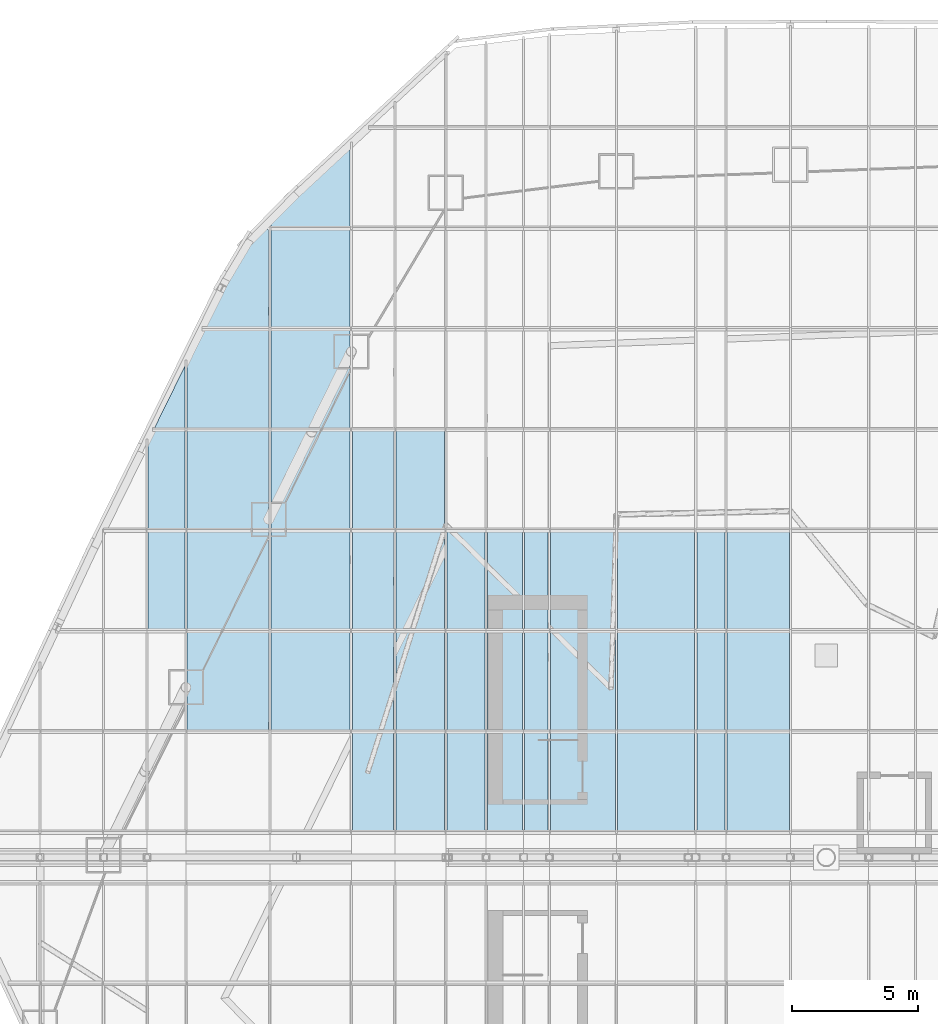
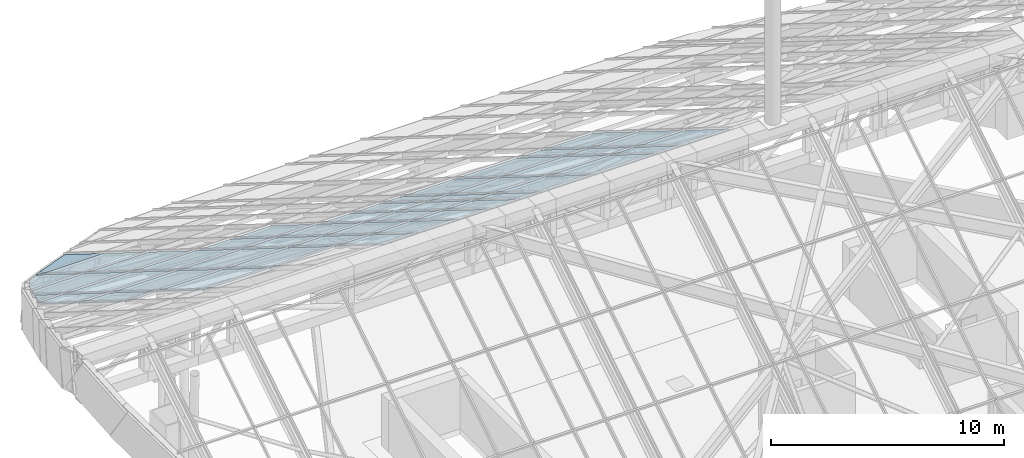
# One storey, part 31 of 38: 43 plates, 43 elements without a shape of their own.
"""IFC4 building model written with IfcOpenShell, lengths in metres."""

from ifc_helpers import new_model, si_unit, direction, frame, origin, place, context, subcontext, project, spatial, polyline, outline, extrude, material, layer, layer_set, type_object, element, aggregate, save


model = new_model("IFC4")

# Units and contexts
model_context = context("Model", 3, precision=1e-05, world=origin(), true_north=direction((0.0, 1.0)))
body_context = subcontext(model_context, "Body", "Model", "MODEL_VIEW")
ifc_project = project(units=[si_unit("LENGTHUNIT", "METRE"), si_unit("AREAUNIT", "SQUARE_METRE"), si_unit("VOLUMEUNIT", "CUBIC_METRE"), si_unit("PLANEANGLEUNIT", "RADIAN"), si_unit("MASSUNIT", "GRAM", prefix="KILO")], contexts=[model_context])

# Site, building, storey
site_placement = place(None, origin())
site = spatial("IfcSite", under=ifc_project, at=site_placement, CompositionType="ELEMENT")
building_placement = place(site_placement, origin())
building = spatial("IfcBuilding", under=site, at=building_placement, Name="Dongbaek Canopy Tower", CompositionType="ELEMENT")
storey_placement = place(building_placement, frame((0.0, 0.0, 375.800048828125)))
storey = spatial("IfcBuildingStorey", under=building, at=storey_placement, Name="Roof", CompositionType="ELEMENT", Elevation=375.800048828125)

# Curtain wall, plate
ifc_material_1 = material(Name="Aluminium 6063-T6 pale anodised", Category="aluminium")
ifc_layer_1 = layer(ifc_material_1, 0.199951171875)
ifc_layer_set_1 = layer_set([ifc_layer_1], Name="CW-6 canopy glazing curtain wall")
curtain_wall_type = type_object("IfcCurtainWallType", Name="CW-6 canopy glazing curtain wall", PredefinedType="NOTDEFINED", material=ifc_layer_set_1)
curtain_wall_1_placement = place(storey_placement, origin())
curtain_wall_1 = element("IfcCurtainWall", 1, at=curtain_wall_1_placement, inside=storey, type_object=curtain_wall_type, Name="CW-6 canopy glazing north 4.3", PredefinedType="NOTDEFINED")
ifc_material_2 = material(Name="Clear laminated glass", Category="glass")
ifc_layer_2 = layer(ifc_material_2, 0.0400390625)
ifc_layer_set_2 = layer_set([ifc_layer_2], Name="CW-6 glazed panel 40")
plate_type = type_object("IfcPlateType", Name="CW-6 glazed panel 40", PredefinedType="CURTAIN_PANEL", material=ifc_layer_set_2)
plate_1_placement = place(storey_placement, frame((-25.389892578125, 9.015380859375, 13.11376953125), z_axis=(0.0, 0.529946450558, 0.848031107649), x_axis=(-1.0, 0.0, 0.0)))
plate_1 = element("IfcPlate", 2, at=plate_1_placement, type_object=plate_type, Name="CW-6 panel N4.3", PredefinedType="CURTAIN_PANEL", context=body_context, shape_type="SweptSolid", body=[
    extrude(outline(polyline([(0.0, 0.0), (1.4560546875, 0.0), (1.4560546875, -4.599060634916705), (0.0, -4.599060634916705), (0.0, 0.0)])), origin(), (0.0, 0.0, -1.0), 0.0400390625),
])
aggregate(curtain_wall_1, [plate_1])

curtain_wall_2_placement = place(storey_placement, origin())
curtain_wall_2 = element("IfcCurtainWall", 3, at=curtain_wall_2_placement, inside=storey, type_object=curtain_wall_type, Name="CW-6 canopy glazing north 4.4", PredefinedType="NOTDEFINED")
plate_2_placement = place(storey_placement, frame((-25.389892578125, 13.001708984375, 10.622802734375), z_axis=(-9.486976e-06, 0.529908615105, 0.848054750325), x_axis=(-0.999999999955, -5.027231e-06, -8.045475e-06)))
plate_2 = element("IfcPlate", 4, at=plate_2_placement, type_object=plate_type, Name="CW-6 panel N4.4", PredefinedType="CURTAIN_PANEL", context=body_context, shape_type="SweptSolid", body=[
    extrude(outline(polyline([(0.0, 0.0), (1.4560546874344755, 0.0), (1.4560546876789506, -4.129411195458515), (1.2602539061756644, -4.598931258119005), (-1.7622603209192138e-11, -4.598931258119005), (0.0, 0.0)])), origin(), (0.0, 0.0, -1.0), 0.0400390625),
])
aggregate(curtain_wall_2, [plate_2])

curtain_wall_3_placement = place(storey_placement, origin())
curtain_wall_3 = element("IfcCurtainWall", 5, at=curtain_wall_3_placement, inside=storey, type_object=curtain_wall_type, Name="CW-6 canopy glazing north 4.5", PredefinedType="NOTDEFINED")
plate_3_placement = place(storey_placement, frame((-25.389892578125, 16.98779296875, 8.132080078125), z_axis=(0.0, 0.529931286674, 0.848040583583), x_axis=(-1.0, 0.0, 0.0)))
plate_3 = element("IfcPlate", 6, at=plate_3_placement, type_object=plate_type, Name="CW-6 panel N4.5", PredefinedType="CURTAIN_PANEL", context=body_context, shape_type="SweptSolid", body=[
    extrude(outline(polyline([(0.0, 0.0), (1.218017578125, 0.0), (0.0, -2.919471221135205), (0.0, 0.0)])), origin(), (0.0, 0.0, -1.0), 0.0400390625),
])
aggregate(curtain_wall_3, [plate_3])

curtain_wall_4_placement = place(storey_placement, origin())
curtain_wall_4 = element("IfcCurtainWall", 7, at=curtain_wall_4_placement, inside=storey, type_object=curtain_wall_type, Name="CW-6 canopy glazing north 5.2", PredefinedType="NOTDEFINED")
plate_4_placement = place(storey_placement, frame((-22.073974609375, 5.029296875, 15.6044921875), z_axis=(0.0, 0.52990827259, 0.848054964398), x_axis=(-1.0, 0.0, 0.0)))
plate_4 = element("IfcPlate", 8, at=plate_4_placement, type_object=plate_type, Name="CW-6 panel N5.2", PredefinedType="CURTAIN_PANEL", context=body_context, shape_type="SweptSolid", body=[
    extrude(outline(polyline([(0.0, 0.0), (3.22998046875, 0.0), (3.22998046875, -4.59893125811938), (0.0, -4.59893125811938), (0.0, 0.0)])), origin(), (0.0, 0.0, -1.0), 0.0400390625),
])
aggregate(curtain_wall_4, [plate_4])

curtain_wall_5_placement = place(storey_placement, origin())
curtain_wall_5 = element("IfcCurtainWall", 9, at=curtain_wall_5_placement, inside=storey, type_object=curtain_wall_type, Name="CW-6 canopy glazing north 5.3", PredefinedType="NOTDEFINED")
plate_5_placement = place(storey_placement, frame((-22.073974609375, 9.015380859375, 13.11376953125), z_axis=(0.0, 0.529946450558, 0.848031107649), x_axis=(-1.0, 0.0, 0.0)))
plate_5 = element("IfcPlate", 10, at=plate_5_placement, type_object=plate_type, Name="CW-6 panel N5.3", PredefinedType="CURTAIN_PANEL", context=body_context, shape_type="SweptSolid", body=[
    extrude(outline(polyline([(0.0, 0.0), (3.22998046875, 0.0), (3.22998046875, -4.599060634916705), (0.0, -4.599060634916705), (0.0, 0.0)])), origin(), (0.0, 0.0, -1.0), 0.0400390625),
])
aggregate(curtain_wall_5, [plate_5])

curtain_wall_6_placement = place(storey_placement, origin())
curtain_wall_6 = element("IfcCurtainWall", 11, at=curtain_wall_6_placement, inside=storey, type_object=curtain_wall_type, Name="CW-6 canopy glazing north 5.4", PredefinedType="NOTDEFINED")
plate_6_placement = place(storey_placement, frame((-22.073974609375, 13.001708984375, 10.622802734375), z_axis=(0.0, 0.52990827259, 0.848054964398), x_axis=(-1.0, 0.0, 0.0)))
plate_6 = element("IfcPlate", 12, at=plate_6_placement, type_object=plate_type, Name="CW-6 panel N5.4", PredefinedType="CURTAIN_PANEL", context=body_context, shape_type="SweptSolid", body=[
    extrude(outline(polyline([(0.0, 0.0), (3.22998046875, 0.0), (3.22998046875, -4.59893125811938), (0.0, -4.59893125811938), (0.0, 0.0)])), origin(), (0.0, 0.0, -1.0), 0.0400390625),
])
aggregate(curtain_wall_6, [plate_6])

curtain_wall_7_placement = place(storey_placement, origin())
curtain_wall_7 = element("IfcCurtainWall", 13, at=curtain_wall_7_placement, inside=storey, type_object=curtain_wall_type, Name="CW-6 canopy glazing north 5.5", PredefinedType="NOTDEFINED")
plate_7_placement = place(storey_placement, frame((-22.073974609375, 16.98779296875, 8.132080078125), z_axis=(2.2826719e-05, 0.529943862908, 0.848032724395), x_axis=(-0.999999999739, 1.2096879e-05, 1.9357804e-05)))
plate_7 = element("IfcPlate", 14, at=plate_7_placement, type_object=plate_type, Name="CW-6 panel N5.5", PredefinedType="CURTAIN_PANEL", context=body_context, shape_type="SweptSolid", body=[
    extrude(outline(polyline([(0.0, 0.0), (3.229980467908495, 0.0), (3.2299804709541973, -3.125544545425184), (2.6152343739983355, -4.599060634895297), (-3.203190370148481e-10, -4.599060634895297), (0.0, 0.0)])), origin(), (0.0, 0.0, -1.0), 0.0400390625),
])
aggregate(curtain_wall_7, [plate_7])

curtain_wall_8_placement = place(storey_placement, origin())
curtain_wall_8 = element("IfcCurtainWall", 15, at=curtain_wall_8_placement, inside=storey, type_object=curtain_wall_type, Name="CW-6 canopy glazing north 5.6", PredefinedType="NOTDEFINED")
plate_8_placement = place(storey_placement, frame((-22.85205078125, 24.294189453125, 3.56640625), z_axis=(-6.46319e-06, 0.529913545539, 0.848051669542), x_axis=(0.641078287018, 0.650861067475, -0.406692144943)))
plate_8 = element("IfcPlate", 16, at=plate_8_placement, type_object=plate_type, Name="CW-6 panel N5.6", PredefinedType="CURTAIN_PANEL", context=body_context, shape_type="SweptSolid", body=[
    extrude(outline(polyline([(0.0, 0.0), (0.8911377517187538, -4.163336342344337e-17), (1.0237044775743207, -0.15870403837904357), (-2.505862549706908, -3.1069790113113482), (-4.155355730098667, -1.1322660709610064), (-2.010602725449759, -0.46715997382909924), (0.0, 0.0)])), origin(), (0.0, 0.0, -1.0), 0.0400390625),
])
aggregate(curtain_wall_8, [plate_8])

curtain_wall_9_placement = place(storey_placement, origin())
curtain_wall_9 = element("IfcCurtainWall", 17, at=curtain_wall_9_placement, inside=storey, type_object=curtain_wall_type, Name="CW-6 canopy glazing north 6.2", PredefinedType="NOTDEFINED")
plate_9_placement = place(storey_placement, frame((-18.84912109375, 5.029296875, 15.6044921875), z_axis=(0.0, 0.52990827259, 0.848054964398), x_axis=(-1.0, 0.0, 0.0)))
plate_9 = element("IfcPlate", 18, at=plate_9_placement, type_object=plate_type, Name="CW-6 panel N6.2", PredefinedType="CURTAIN_PANEL", context=body_context, shape_type="SweptSolid", body=[
    extrude(outline(polyline([(0.0, 0.0), (3.138916015625, 0.0), (3.138916015625, -4.59893125811938), (0.0, -4.59893125811938), (0.0, 0.0)])), origin(), (0.0, 0.0, -1.0), 0.0400390625),
])
aggregate(curtain_wall_9, [plate_9])

curtain_wall_10_placement = place(storey_placement, origin())
curtain_wall_10 = element("IfcCurtainWall", 19, at=curtain_wall_10_placement, inside=storey, type_object=curtain_wall_type, Name="CW-6 canopy glazing north 6.3", PredefinedType="NOTDEFINED")
plate_10_placement = place(storey_placement, frame((-18.84912109375, 9.015380859375, 13.11376953125), z_axis=(0.0, 0.529946450558, 0.848031107649), x_axis=(-1.0, 0.0, 0.0)))
plate_10 = element("IfcPlate", 20, at=plate_10_placement, type_object=plate_type, Name="CW-6 panel N6.3", PredefinedType="CURTAIN_PANEL", context=body_context, shape_type="SweptSolid", body=[
    extrude(outline(polyline([(0.0, 0.0), (3.138916015625, 0.0), (3.138916015625, -4.599060634916705), (0.0, -4.599060634916705), (0.0, 0.0)])), origin(), (0.0, 0.0, -1.0), 0.0400390625),
])
aggregate(curtain_wall_10, [plate_10])

curtain_wall_11_placement = place(storey_placement, origin())
curtain_wall_11 = element("IfcCurtainWall", 21, at=curtain_wall_11_placement, inside=storey, type_object=curtain_wall_type, Name="CW-6 canopy glazing north 6.4", PredefinedType="NOTDEFINED")
plate_11_placement = place(storey_placement, frame((-18.84912109375, 13.001708984375, 10.622802734375), z_axis=(0.0, 0.52990827259, 0.848054964398), x_axis=(-1.0, 0.0, 0.0)))
plate_11 = element("IfcPlate", 22, at=plate_11_placement, type_object=plate_type, Name="CW-6 panel N6.4", PredefinedType="CURTAIN_PANEL", context=body_context, shape_type="SweptSolid", body=[
    extrude(outline(polyline([(0.0, 0.0), (3.138916015625, 0.0), (3.138916015625, -4.59893125811938), (0.0, -4.59893125811938), (0.0, 0.0)])), origin(), (0.0, 0.0, -1.0), 0.0400390625),
])
aggregate(curtain_wall_11, [plate_11])

curtain_wall_12_placement = place(storey_placement, origin())
curtain_wall_12 = element("IfcCurtainWall", 23, at=curtain_wall_12_placement, inside=storey, type_object=curtain_wall_type, Name="CW-6 canopy glazing north 6.5", PredefinedType="NOTDEFINED")
plate_12_placement = place(storey_placement, frame((-18.84912109375, 16.98779296875, 8.132080078125), z_axis=(0.0, 0.529946450558, 0.848031107649), x_axis=(-1.0, 0.0, 0.0)))
plate_12 = element("IfcPlate", 24, at=plate_12_placement, type_object=plate_type, Name="CW-6 panel N6.5", PredefinedType="CURTAIN_PANEL", context=body_context, shape_type="SweptSolid", body=[
    extrude(outline(polyline([(0.0, 0.0), (3.138916015625, 0.0), (3.138916015625, -4.599060634916705), (0.0, -4.599060634916705), (0.0, 0.0)])), origin(), (0.0, 0.0, -1.0), 0.0400390625),
])
aggregate(curtain_wall_12, [plate_12])

curtain_wall_13_placement = place(storey_placement, origin())
curtain_wall_13 = element("IfcCurtainWall", 25, at=curtain_wall_13_placement, inside=storey, type_object=curtain_wall_type, Name="CW-6 canopy glazing north 6.6", PredefinedType="NOTDEFINED")
plate_13_placement = place(storey_placement, frame((-18.84912109375, 20.97412109375, 5.64111328125), z_axis=(0.0, 0.52990827259, 0.848054964398), x_axis=(-1.0, 0.0, 0.0)))
plate_13 = element("IfcPlate", 26, at=plate_13_placement, type_object=plate_type, Name="CW-6 panel N6.6", PredefinedType="CURTAIN_PANEL", context=body_context, shape_type="SweptSolid", body=[
    extrude(outline(polyline([(0.0, 0.0), (3.138916015625, 0.0), (3.138916015625, -4.59893125811938), (0.0, -4.59893125811938), (0.0, 0.0)])), origin(), (0.0, 0.0, -1.0), 0.0400390625),
])
aggregate(curtain_wall_13, [plate_13])

curtain_wall_14_placement = place(storey_placement, origin())
curtain_wall_14 = element("IfcCurtainWall", 27, at=curtain_wall_14_placement, inside=storey, type_object=curtain_wall_type, Name="CW-6 canopy glazing north 6.7", PredefinedType="NOTDEFINED")
plate_14_placement = place(storey_placement, frame((-18.84912109375, 28.1728515625, 1.142822265625), z_axis=(-1.819021e-05, 0.529949508766, 0.84802919633), x_axis=(-3.07e-10, -0.84802919647, 0.529949508854)))
plate_14 = element("IfcPlate", 28, at=plate_14_placement, type_object=plate_type, Name="CW-6 panel N6.7", PredefinedType="CURTAIN_PANEL", context=body_context, shape_type="SweptSolid", body=[
    extrude(outline(polyline([(0.0, 0.0), (3.78832788272803, 0.0), (3.7883278836902825, -3.138916015105692), (3.53903687577208, -3.138916014504957), (2.388851191027931, -2.1782226573317947), (0.0, 0.0)])), origin(), (0.0, 0.0, -1.0), 0.0400390625),
])
aggregate(curtain_wall_14, [plate_14])

curtain_wall_15_placement = place(storey_placement, origin())
curtain_wall_15 = element("IfcCurtainWall", 29, at=curtain_wall_15_placement, inside=storey, type_object=curtain_wall_type, Name="CW-6 canopy glazing north 7.1", PredefinedType="NOTDEFINED")
plate_15_placement = place(storey_placement, frame((-17.126953125, 1.04296875, 18.095458984375), z_axis=(0.0, 0.52990827259, 0.848054964398), x_axis=(-1.0, 0.0, 0.0)))
plate_15 = element("IfcPlate", 30, at=plate_15_placement, type_object=plate_type, Name="CW-6 panel N7.1", PredefinedType="CURTAIN_PANEL", context=body_context, shape_type="SweptSolid", body=[
    extrude(outline(polyline([(0.0, 0.0), (1.635986328125, 0.0), (1.635986328125, -4.59893125811938), (0.0, -4.59893125811938), (0.0, 0.0)])), origin(), (0.0, 0.0, -1.0), 0.0400390625),
])
aggregate(curtain_wall_15, [plate_15])

curtain_wall_16_placement = place(storey_placement, origin())
curtain_wall_16 = element("IfcCurtainWall", 31, at=curtain_wall_16_placement, inside=storey, type_object=curtain_wall_type, Name="CW-6 canopy glazing north 7.2", PredefinedType="NOTDEFINED")
plate_16_placement = place(storey_placement, frame((-17.126953125, 5.029296875, 15.6044921875), z_axis=(0.0, 0.52990827259, 0.848054964398), x_axis=(-1.0, 0.0, 0.0)))
plate_16 = element("IfcPlate", 32, at=plate_16_placement, type_object=plate_type, Name="CW-6 panel N7.2", PredefinedType="CURTAIN_PANEL", context=body_context, shape_type="SweptSolid", body=[
    extrude(outline(polyline([(0.0, 0.0), (1.635986328125, 0.0), (1.635986328125, -4.59893125811938), (0.0, -4.59893125811938), (0.0, 0.0)])), origin(), (0.0, 0.0, -1.0), 0.0400390625),
])
aggregate(curtain_wall_16, [plate_16])

curtain_wall_17_placement = place(storey_placement, origin())
curtain_wall_17 = element("IfcCurtainWall", 33, at=curtain_wall_17_placement, inside=storey, type_object=curtain_wall_type, Name="CW-6 canopy glazing north 7.3", PredefinedType="NOTDEFINED")
plate_17_placement = place(storey_placement, frame((-17.126953125, 9.015380859375, 13.11376953125), z_axis=(0.0, 0.529946450558, 0.848031107649), x_axis=(-1.0, 0.0, 0.0)))
plate_17 = element("IfcPlate", 34, at=plate_17_placement, type_object=plate_type, Name="CW-6 panel N7.3", PredefinedType="CURTAIN_PANEL", context=body_context, shape_type="SweptSolid", body=[
    extrude(outline(polyline([(0.0, 0.0), (1.635986328125, 0.0), (1.635986328125, -4.599060634916705), (0.0, -4.599060634916705), (0.0, 0.0)])), origin(), (0.0, 0.0, -1.0), 0.0400390625),
])
aggregate(curtain_wall_17, [plate_17])

curtain_wall_18_placement = place(storey_placement, origin())
curtain_wall_18 = element("IfcCurtainWall", 35, at=curtain_wall_18_placement, inside=storey, type_object=curtain_wall_type, Name="CW-6 canopy glazing north 7.4", PredefinedType="NOTDEFINED")
plate_18_placement = place(storey_placement, frame((-17.126953125, 13.001708984375, 10.622802734375), z_axis=(0.0, 0.52990827259, 0.848054964398), x_axis=(-1.0, 0.0, 0.0)))
plate_18 = element("IfcPlate", 36, at=plate_18_placement, type_object=plate_type, Name="CW-6 panel N7.4", PredefinedType="CURTAIN_PANEL", context=body_context, shape_type="SweptSolid", body=[
    extrude(outline(polyline([(0.0, 0.0), (1.635986328125, 0.0), (1.635986328125, -4.59893125811938), (0.0, -4.59893125811938), (0.0, 0.0)])), origin(), (0.0, 0.0, -1.0), 0.0400390625),
])
aggregate(curtain_wall_18, [plate_18])

curtain_wall_19_placement = place(storey_placement, origin())
curtain_wall_19 = element("IfcCurtainWall", 37, at=curtain_wall_19_placement, inside=storey, type_object=curtain_wall_type, Name="CW-6 canopy glazing north 8.1", PredefinedType="NOTDEFINED")
plate_19_placement = place(storey_placement, frame((-15.10498046875, 1.04296875, 18.095458984375), z_axis=(0.0, 0.52990827259, 0.848054964398), x_axis=(-1.0, 0.0, 0.0)))
plate_19 = element("IfcPlate", 38, at=plate_19_placement, type_object=plate_type, Name="CW-6 panel N8.1", PredefinedType="CURTAIN_PANEL", context=body_context, shape_type="SweptSolid", body=[
    extrude(outline(polyline([(0.0, 0.0), (1.93603515625, 0.0), (1.93603515625, -4.59893125811938), (0.0, -4.59893125811938), (0.0, 0.0)])), origin(), (0.0, 0.0, -1.0), 0.0400390625),
])
aggregate(curtain_wall_19, [plate_19])

curtain_wall_20_placement = place(storey_placement, origin())
curtain_wall_20 = element("IfcCurtainWall", 39, at=curtain_wall_20_placement, inside=storey, type_object=curtain_wall_type, Name="CW-6 canopy glazing north 8.2", PredefinedType="NOTDEFINED")
plate_20_placement = place(storey_placement, frame((-15.10498046875, 5.029296875, 15.6044921875), z_axis=(0.0, 0.52990827259, 0.848054964398), x_axis=(-1.0, 0.0, 0.0)))
plate_20 = element("IfcPlate", 40, at=plate_20_placement, type_object=plate_type, Name="CW-6 panel N8.2", PredefinedType="CURTAIN_PANEL", context=body_context, shape_type="SweptSolid", body=[
    extrude(outline(polyline([(0.0, 0.0), (1.93603515625, 0.0), (1.93603515625, -4.59893125811938), (0.0, -4.59893125811938), (0.0, 0.0)])), origin(), (0.0, 0.0, -1.0), 0.0400390625),
])
aggregate(curtain_wall_20, [plate_20])

curtain_wall_21_placement = place(storey_placement, origin())
curtain_wall_21 = element("IfcCurtainWall", 41, at=curtain_wall_21_placement, inside=storey, type_object=curtain_wall_type, Name="CW-6 canopy glazing north 8.3", PredefinedType="NOTDEFINED")
plate_21_placement = place(storey_placement, frame((-15.10498046875, 9.015380859375, 13.11376953125), z_axis=(0.0, 0.529946450558, 0.848031107649), x_axis=(-1.0, 0.0, 0.0)))
plate_21 = element("IfcPlate", 42, at=plate_21_placement, type_object=plate_type, Name="CW-6 panel N8.3", PredefinedType="CURTAIN_PANEL", context=body_context, shape_type="SweptSolid", body=[
    extrude(outline(polyline([(0.0, 0.0), (1.93603515625, 0.0), (1.93603515625, -4.599060634916705), (0.0, -4.599060634916705), (0.0, 0.0)])), origin(), (0.0, 0.0, -1.0), 0.0400390625),
])
aggregate(curtain_wall_21, [plate_21])

curtain_wall_22_placement = place(storey_placement, origin())
curtain_wall_22 = element("IfcCurtainWall", 43, at=curtain_wall_22_placement, inside=storey, type_object=curtain_wall_type, Name="CW-6 canopy glazing north 8.4", PredefinedType="NOTDEFINED")
plate_22_placement = place(storey_placement, frame((-15.10498046875, 13.001708984375, 10.622802734375), z_axis=(0.0, 0.52990827259, 0.848054964398), x_axis=(-1.0, 0.0, 0.0)))
plate_22 = element("IfcPlate", 44, at=plate_22_placement, type_object=plate_type, Name="CW-6 panel N8.4", PredefinedType="CURTAIN_PANEL", context=body_context, shape_type="SweptSolid", body=[
    extrude(outline(polyline([(0.0, 0.0), (1.93603515625, 0.0), (1.93603515625, -4.59893125811938), (0.0, -4.59893125811938), (0.0, 0.0)])), origin(), (0.0, 0.0, -1.0), 0.0400390625),
])
aggregate(curtain_wall_22, [plate_22])

curtain_wall_23_placement = place(storey_placement, origin())
curtain_wall_23 = element("IfcCurtainWall", 45, at=curtain_wall_23_placement, inside=storey, type_object=curtain_wall_type, Name="CW-6 canopy glazing north 9.1", PredefinedType="NOTDEFINED")
plate_23_placement = place(storey_placement, frame((-13.5078125, 1.04296875, 18.095458984375), z_axis=(0.0, 0.52990827259, 0.848054964398), x_axis=(-1.0, 0.0, 0.0)))
plate_23 = element("IfcPlate", 46, at=plate_23_placement, type_object=plate_type, Name="CW-6 panel N9.1", PredefinedType="CURTAIN_PANEL", context=body_context, shape_type="SweptSolid", body=[
    extrude(outline(polyline([(0.0, 0.0), (1.51123046875, 0.0), (1.51123046875, -4.59893125811938), (0.0, -4.59893125811938), (0.0, 0.0)])), origin(), (0.0, 0.0, -1.0), 0.0400390625),
])
aggregate(curtain_wall_23, [plate_23])

curtain_wall_24_placement = place(storey_placement, origin())
curtain_wall_24 = element("IfcCurtainWall", 47, at=curtain_wall_24_placement, inside=storey, type_object=curtain_wall_type, Name="CW-6 canopy glazing north 9.2", PredefinedType="NOTDEFINED")
plate_24_placement = place(storey_placement, frame((-13.5078125, 5.029296875, 15.6044921875), z_axis=(0.0, 0.52990827259, 0.848054964398), x_axis=(-1.0, 0.0, 0.0)))
plate_24 = element("IfcPlate", 48, at=plate_24_placement, type_object=plate_type, Name="CW-6 panel N9.2", PredefinedType="CURTAIN_PANEL", context=body_context, shape_type="SweptSolid", body=[
    extrude(outline(polyline([(0.0, 0.0), (1.51123046875, 0.0), (1.51123046875, -4.59893125811938), (0.0, -4.59893125811938), (0.0, 0.0)])), origin(), (0.0, 0.0, -1.0), 0.0400390625),
])
aggregate(curtain_wall_24, [plate_24])

curtain_wall_25_placement = place(storey_placement, origin())
curtain_wall_25 = element("IfcCurtainWall", 49, at=curtain_wall_25_placement, inside=storey, type_object=curtain_wall_type, Name="CW-6 canopy glazing north 9.3", PredefinedType="NOTDEFINED")
plate_25_placement = place(storey_placement, frame((-13.5078125, 9.015380859375, 13.11376953125), z_axis=(0.0, 0.529946450558, 0.848031107649), x_axis=(-1.0, 0.0, 0.0)))
plate_25 = element("IfcPlate", 50, at=plate_25_placement, type_object=plate_type, Name="CW-6 panel N9.3", PredefinedType="CURTAIN_PANEL", context=body_context, shape_type="SweptSolid", body=[
    extrude(outline(polyline([(0.0, 0.0), (1.51123046875, 0.0), (1.51123046875, -4.599060634916705), (0.0, -4.599060634916705), (0.0, 0.0)])), origin(), (0.0, 0.0, -1.0), 0.0400390625),
])
aggregate(curtain_wall_25, [plate_25])

curtain_wall_26_placement = place(storey_placement, origin())
curtain_wall_26 = element("IfcCurtainWall", 51, at=curtain_wall_26_placement, inside=storey, type_object=curtain_wall_type, Name="CW-6 canopy glazing north 10.1", PredefinedType="NOTDEFINED")
plate_26_placement = place(storey_placement, frame((-12.028076171875, 1.04296875, 18.095458984375), z_axis=(0.0, 0.52990827259, 0.848054964398), x_axis=(-1.0, 0.0, 0.0)))
plate_26 = element("IfcPlate", 52, at=plate_26_placement, type_object=plate_type, Name="CW-6 panel N10.1", PredefinedType="CURTAIN_PANEL", context=body_context, shape_type="SweptSolid", body=[
    extrude(outline(polyline([(0.0, 0.0), (1.3935546875, 0.0), (1.3935546875, -4.59893125811938), (0.0, -4.59893125811938), (0.0, 0.0)])), origin(), (0.0, 0.0, -1.0), 0.0400390625),
])
aggregate(curtain_wall_26, [plate_26])

curtain_wall_27_placement = place(storey_placement, origin())
curtain_wall_27 = element("IfcCurtainWall", 53, at=curtain_wall_27_placement, inside=storey, type_object=curtain_wall_type, Name="CW-6 canopy glazing north 10.2", PredefinedType="NOTDEFINED")
plate_27_placement = place(storey_placement, frame((-12.028076171875, 5.029296875, 15.6044921875), z_axis=(0.0, 0.52990827259, 0.848054964398), x_axis=(-1.0, 0.0, 0.0)))
plate_27 = element("IfcPlate", 54, at=plate_27_placement, type_object=plate_type, Name="CW-6 panel N10.2", PredefinedType="CURTAIN_PANEL", context=body_context, shape_type="SweptSolid", body=[
    extrude(outline(polyline([(0.0, 0.0), (1.3935546875, 0.0), (1.3935546875, -4.59893125811938), (0.0, -4.59893125811938), (0.0, 0.0)])), origin(), (0.0, 0.0, -1.0), 0.0400390625),
])
aggregate(curtain_wall_27, [plate_27])

curtain_wall_28_placement = place(storey_placement, origin())
curtain_wall_28 = element("IfcCurtainWall", 55, at=curtain_wall_28_placement, inside=storey, type_object=curtain_wall_type, Name="CW-6 canopy glazing north 10.3", PredefinedType="NOTDEFINED")
plate_28_placement = place(storey_placement, frame((-12.028076171875, 9.015380859375, 13.11376953125), z_axis=(0.0, 0.529946450558, 0.848031107649), x_axis=(-1.0, 0.0, 0.0)))
plate_28 = element("IfcPlate", 56, at=plate_28_placement, type_object=plate_type, Name="CW-6 panel N10.3", PredefinedType="CURTAIN_PANEL", context=body_context, shape_type="SweptSolid", body=[
    extrude(outline(polyline([(0.0, 0.0), (1.3935546875, 0.0), (1.3935546875, -4.599060634916705), (0.0, -4.599060634916705), (0.0, 0.0)])), origin(), (0.0, 0.0, -1.0), 0.0400390625),
])
aggregate(curtain_wall_28, [plate_28])

curtain_wall_29_placement = place(storey_placement, origin())
curtain_wall_29 = element("IfcCurtainWall", 57, at=curtain_wall_29_placement, inside=storey, type_object=curtain_wall_type, Name="CW-6 canopy glazing north 11.1", PredefinedType="NOTDEFINED")
plate_29_placement = place(storey_placement, frame((-11.0078125, 1.04296875, 18.095458984375), z_axis=(0.0, 0.52990827259, 0.848054964398), x_axis=(-1.0, 0.0, 0.0)))
plate_29 = element("IfcPlate", 58, at=plate_29_placement, type_object=plate_type, Name="CW-6 panel N11.1", PredefinedType="CURTAIN_PANEL", context=body_context, shape_type="SweptSolid", body=[
    extrude(outline(polyline([(0.0, 0.0), (0.93408203125, 0.0), (0.93408203125, -4.5989312581193795), (0.0, -4.5989312581193795), (0.0, 0.0)])), origin(), (0.0, 0.0, -1.0), 0.0400390625),
])
aggregate(curtain_wall_29, [plate_29])

curtain_wall_30_placement = place(storey_placement, origin())
curtain_wall_30 = element("IfcCurtainWall", 59, at=curtain_wall_30_placement, inside=storey, type_object=curtain_wall_type, Name="CW-6 canopy glazing north 11.2", PredefinedType="NOTDEFINED")
plate_30_placement = place(storey_placement, frame((-11.0078125, 5.029296875, 15.6044921875), z_axis=(0.0, 0.52990827259, 0.848054964398), x_axis=(-1.0, 0.0, 0.0)))
plate_30 = element("IfcPlate", 60, at=plate_30_placement, type_object=plate_type, Name="CW-6 panel N11.2", PredefinedType="CURTAIN_PANEL", context=body_context, shape_type="SweptSolid", body=[
    extrude(outline(polyline([(0.0, 0.0), (0.93408203125, 0.0), (0.93408203125, -4.5989312581193795), (0.0, -4.5989312581193795), (0.0, 0.0)])), origin(), (0.0, 0.0, -1.0), 0.0400390625),
])
aggregate(curtain_wall_30, [plate_30])

curtain_wall_31_placement = place(storey_placement, origin())
curtain_wall_31 = element("IfcCurtainWall", 61, at=curtain_wall_31_placement, inside=storey, type_object=curtain_wall_type, Name="CW-6 canopy glazing north 11.3", PredefinedType="NOTDEFINED")
plate_31_placement = place(storey_placement, frame((-11.0078125, 9.015380859375, 13.11376953125), z_axis=(0.0, 0.529946450558, 0.848031107649), x_axis=(-1.0, 0.0, 0.0)))
plate_31 = element("IfcPlate", 62, at=plate_31_placement, type_object=plate_type, Name="CW-6 panel N11.3", PredefinedType="CURTAIN_PANEL", context=body_context, shape_type="SweptSolid", body=[
    extrude(outline(polyline([(0.0, 0.0), (0.93408203125, 0.0), (0.93408203125, -4.599060634916705), (0.0, -4.599060634916705), (0.0, 0.0)])), origin(), (0.0, 0.0, -1.0), 0.0400390625),
])
aggregate(curtain_wall_31, [plate_31])

curtain_wall_32_placement = place(storey_placement, origin())
curtain_wall_32 = element("IfcCurtainWall", 63, at=curtain_wall_32_placement, inside=storey, type_object=curtain_wall_type, Name="CW-6 canopy glazing north 12.1", PredefinedType="NOTDEFINED")
plate_32_placement = place(storey_placement, frame((-8.35205078125, 1.04296875, 18.095458984375), z_axis=(0.0, 0.52990827259, 0.848054964398), x_axis=(-1.0, 0.0, 0.0)))
plate_32 = element("IfcPlate", 64, at=plate_32_placement, type_object=plate_type, Name="CW-6 panel N12.1", PredefinedType="CURTAIN_PANEL", context=body_context, shape_type="SweptSolid", body=[
    extrude(outline(polyline([(0.0, 0.0), (2.569580078125, 0.0), (2.569580078125, -4.5989312581193795), (0.0, -4.5989312581193795), (0.0, 0.0)])), origin(), (0.0, 0.0, -1.0), 0.0400390625),
])
aggregate(curtain_wall_32, [plate_32])

curtain_wall_33_placement = place(storey_placement, origin())
curtain_wall_33 = element("IfcCurtainWall", 65, at=curtain_wall_33_placement, inside=storey, type_object=curtain_wall_type, Name="CW-6 canopy glazing north 12.2", PredefinedType="NOTDEFINED")
plate_33_placement = place(storey_placement, frame((-8.35205078125, 5.029296875, 15.6044921875), z_axis=(0.0, 0.52990827259, 0.848054964398), x_axis=(-1.0, 0.0, 0.0)))
plate_33 = element("IfcPlate", 66, at=plate_33_placement, type_object=plate_type, Name="CW-6 panel N12.2", PredefinedType="CURTAIN_PANEL", context=body_context, shape_type="SweptSolid", body=[
    extrude(outline(polyline([(0.0, 0.0), (2.569580078125, 0.0), (2.569580078125, -4.5989312581193795), (0.0, -4.5989312581193795), (0.0, 0.0)])), origin(), (0.0, 0.0, -1.0), 0.0400390625),
])
aggregate(curtain_wall_33, [plate_33])

curtain_wall_34_placement = place(storey_placement, origin())
curtain_wall_34 = element("IfcCurtainWall", 67, at=curtain_wall_34_placement, inside=storey, type_object=curtain_wall_type, Name="CW-6 canopy glazing north 12.3", PredefinedType="NOTDEFINED")
plate_34_placement = place(storey_placement, frame((-8.35205078125, 9.015380859375, 13.11376953125), z_axis=(0.0, 0.529946450558, 0.848031107649), x_axis=(-1.0, 0.0, 0.0)))
plate_34 = element("IfcPlate", 68, at=plate_34_placement, type_object=plate_type, Name="CW-6 panel N12.3", PredefinedType="CURTAIN_PANEL", context=body_context, shape_type="SweptSolid", body=[
    extrude(outline(polyline([(0.0, 0.0), (2.569580078125, 0.0), (2.569580078125, -4.599060634916705), (0.0, -4.599060634916705), (0.0, 0.0)])), origin(), (0.0, 0.0, -1.0), 0.0400390625),
])
aggregate(curtain_wall_34, [plate_34])

curtain_wall_35_placement = place(storey_placement, origin())
curtain_wall_35 = element("IfcCurtainWall", 69, at=curtain_wall_35_placement, inside=storey, type_object=curtain_wall_type, Name="CW-6 canopy glazing north 13.1", PredefinedType="NOTDEFINED")
plate_35_placement = place(storey_placement, frame((-5.208984375, 1.04296875, 18.095458984375), z_axis=(0.0, 0.52990827259, 0.848054964398), x_axis=(-1.0, 0.0, 0.0)))
plate_35 = element("IfcPlate", 70, at=plate_35_placement, type_object=plate_type, Name="CW-6 panel N13.1", PredefinedType="CURTAIN_PANEL", context=body_context, shape_type="SweptSolid", body=[
    extrude(outline(polyline([(0.0, 0.0), (3.05712890625, 0.0), (3.05712890625, -4.59893125811938), (0.0, -4.59893125811938), (0.0, 0.0)])), origin(), (0.0, 0.0, -1.0), 0.0400390625),
])
aggregate(curtain_wall_35, [plate_35])

curtain_wall_36_placement = place(storey_placement, origin())
curtain_wall_36 = element("IfcCurtainWall", 71, at=curtain_wall_36_placement, inside=storey, type_object=curtain_wall_type, Name="CW-6 canopy glazing north 13.2", PredefinedType="NOTDEFINED")
plate_36_placement = place(storey_placement, frame((-5.208984375, 5.029296875, 15.6044921875), z_axis=(0.0, 0.52990827259, 0.848054964398), x_axis=(-1.0, 0.0, 0.0)))
plate_36 = element("IfcPlate", 72, at=plate_36_placement, type_object=plate_type, Name="CW-6 panel N13.2", PredefinedType="CURTAIN_PANEL", context=body_context, shape_type="SweptSolid", body=[
    extrude(outline(polyline([(0.0, 0.0), (3.05712890625, 0.0), (3.05712890625, -4.59893125811938), (0.0, -4.59893125811938), (0.0, 0.0)])), origin(), (0.0, 0.0, -1.0), 0.0400390625),
])
aggregate(curtain_wall_36, [plate_36])

curtain_wall_37_placement = place(storey_placement, origin())
curtain_wall_37 = element("IfcCurtainWall", 73, at=curtain_wall_37_placement, inside=storey, type_object=curtain_wall_type, Name="CW-6 canopy glazing north 13.3", PredefinedType="NOTDEFINED")
plate_37_placement = place(storey_placement, frame((-5.208984375, 9.015380859375, 13.11376953125), z_axis=(0.0, 0.529946450558, 0.848031107649), x_axis=(-1.0, 0.0, 0.0)))
plate_37 = element("IfcPlate", 74, at=plate_37_placement, type_object=plate_type, Name="CW-6 panel N13.3", PredefinedType="CURTAIN_PANEL", context=body_context, shape_type="SweptSolid", body=[
    extrude(outline(polyline([(0.0, 0.0), (3.05712890625, 0.0), (3.05712890625, -4.599060634916706), (0.0, -4.599060634916706), (0.0, 0.0)])), origin(), (0.0, 0.0, -1.0), 0.0400390625),
])
aggregate(curtain_wall_37, [plate_37])

curtain_wall_38_placement = place(storey_placement, origin())
curtain_wall_38 = element("IfcCurtainWall", 75, at=curtain_wall_38_placement, inside=storey, type_object=curtain_wall_type, Name="CW-6 canopy glazing north 14.1", PredefinedType="NOTDEFINED")
plate_38_placement = place(storey_placement, frame((-4.0078125, 1.04296875, 18.095458984375), z_axis=(0.0, 0.52990827259, 0.848054964398), x_axis=(-1.0, 0.0, 0.0)))
plate_38 = element("IfcPlate", 76, at=plate_38_placement, type_object=plate_type, Name="CW-6 panel N14.1", PredefinedType="CURTAIN_PANEL", context=body_context, shape_type="SweptSolid", body=[
    extrude(outline(polyline([(0.0, 0.0), (1.115234375, 0.0), (1.115234375, -4.5989312581193795), (0.0, -4.5989312581193795), (0.0, 0.0)])), origin(), (0.0, 0.0, -1.0), 0.0400390625),
])
aggregate(curtain_wall_38, [plate_38])

curtain_wall_39_placement = place(storey_placement, origin())
curtain_wall_39 = element("IfcCurtainWall", 77, at=curtain_wall_39_placement, inside=storey, type_object=curtain_wall_type, Name="CW-6 canopy glazing north 14.2", PredefinedType="NOTDEFINED")
plate_39_placement = place(storey_placement, frame((-4.0078125, 5.029296875, 15.6044921875), z_axis=(0.0, 0.52990827259, 0.848054964398), x_axis=(-1.0, 0.0, 0.0)))
plate_39 = element("IfcPlate", 78, at=plate_39_placement, type_object=plate_type, Name="CW-6 panel N14.2", PredefinedType="CURTAIN_PANEL", context=body_context, shape_type="SweptSolid", body=[
    extrude(outline(polyline([(0.0, 0.0), (1.115234375, 0.0), (1.115234375, -4.5989312581193795), (0.0, -4.5989312581193795), (0.0, 0.0)])), origin(), (0.0, 0.0, -1.0), 0.0400390625),
])
aggregate(curtain_wall_39, [plate_39])

curtain_wall_40_placement = place(storey_placement, origin())
curtain_wall_40 = element("IfcCurtainWall", 79, at=curtain_wall_40_placement, inside=storey, type_object=curtain_wall_type, Name="CW-6 canopy glazing north 14.3", PredefinedType="NOTDEFINED")
plate_40_placement = place(storey_placement, frame((-4.0078125, 9.015380859375, 13.11376953125), z_axis=(0.0, 0.529946450558, 0.848031107649), x_axis=(-1.0, 0.0, 0.0)))
plate_40 = element("IfcPlate", 80, at=plate_40_placement, type_object=plate_type, Name="CW-6 panel N14.3", PredefinedType="CURTAIN_PANEL", context=body_context, shape_type="SweptSolid", body=[
    extrude(outline(polyline([(0.0, 0.0), (1.115234375, 0.0), (1.115234375, -4.599060634916705), (0.0, -4.599060634916705), (0.0, 0.0)])), origin(), (0.0, 0.0, -1.0), 0.0400390625),
])
aggregate(curtain_wall_40, [plate_40])

curtain_wall_41_placement = place(storey_placement, origin())
curtain_wall_41 = element("IfcCurtainWall", 81, at=curtain_wall_41_placement, inside=storey, type_object=curtain_wall_type, Name="CW-6 canopy glazing north 15.1", PredefinedType="NOTDEFINED")
plate_41_placement = place(storey_placement, frame((-1.4609375, 1.04296875, 18.095458984375), z_axis=(0.0, 0.52990827259, 0.848054964398), x_axis=(-1.0, 0.0, 0.0)))
plate_41 = element("IfcPlate", 82, at=plate_41_placement, type_object=plate_type, Name="CW-6 panel N15.1", PredefinedType="CURTAIN_PANEL", context=body_context, shape_type="SweptSolid", body=[
    extrude(outline(polyline([(0.0, 0.0), (2.460693359375, 0.0), (2.460693359375, -4.59893125811938), (0.0, -4.59893125811938), (0.0, 0.0)])), origin(), (0.0, 0.0, -1.0), 0.0400390625),
])
aggregate(curtain_wall_41, [plate_41])

curtain_wall_42_placement = place(storey_placement, origin())
curtain_wall_42 = element("IfcCurtainWall", 83, at=curtain_wall_42_placement, inside=storey, type_object=curtain_wall_type, Name="CW-6 canopy glazing north 15.2", PredefinedType="NOTDEFINED")
plate_42_placement = place(storey_placement, frame((-1.4609375, 5.029296875, 15.6044921875), z_axis=(0.0, 0.52990827259, 0.848054964398), x_axis=(-1.0, 0.0, 0.0)))
plate_42 = element("IfcPlate", 84, at=plate_42_placement, type_object=plate_type, Name="CW-6 panel N15.2", PredefinedType="CURTAIN_PANEL", context=body_context, shape_type="SweptSolid", body=[
    extrude(outline(polyline([(0.0, 0.0), (2.460693359375, 0.0), (2.460693359375, -4.59893125811938), (0.0, -4.59893125811938), (0.0, 0.0)])), origin(), (0.0, 0.0, -1.0), 0.0400390625),
])
aggregate(curtain_wall_42, [plate_42])

curtain_wall_43_placement = place(storey_placement, origin())
curtain_wall_43 = element("IfcCurtainWall", 85, at=curtain_wall_43_placement, inside=storey, type_object=curtain_wall_type, Name="CW-6 canopy glazing north 15.3", PredefinedType="NOTDEFINED")
plate_43_placement = place(storey_placement, frame((-1.4609375, 9.015380859375, 13.11376953125), z_axis=(0.0, 0.529946450558, 0.848031107649), x_axis=(-1.0, 0.0, 0.0)))
plate_43 = element("IfcPlate", 86, at=plate_43_placement, type_object=plate_type, Name="CW-6 panel N15.3", PredefinedType="CURTAIN_PANEL", context=body_context, shape_type="SweptSolid", body=[
    extrude(outline(polyline([(0.0, 0.0), (2.460693359375, 0.0), (2.460693359375, -4.599060634916705), (0.0, -4.599060634916705), (0.0, 0.0)])), origin(), (0.0, 0.0, -1.0), 0.0400390625),
])
aggregate(curtain_wall_43, [plate_43])

save(model, "model.ifc")
